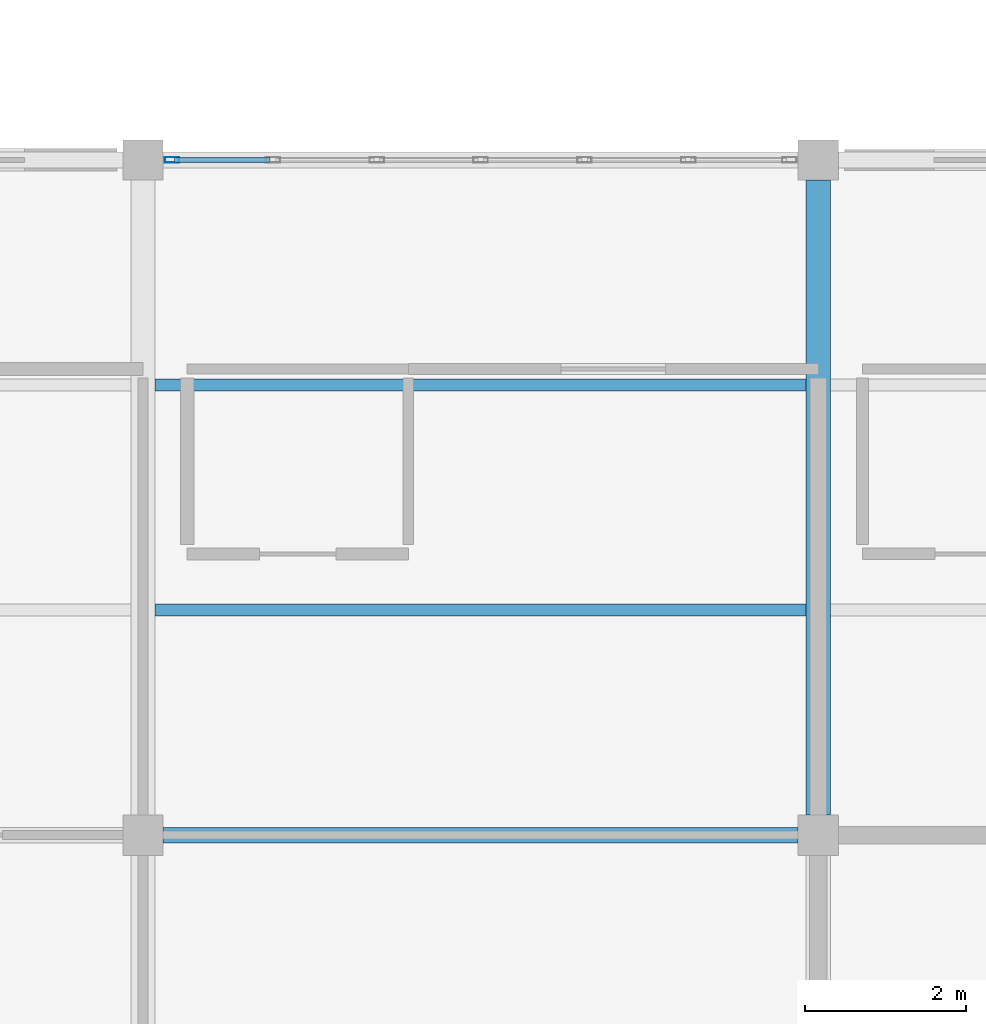
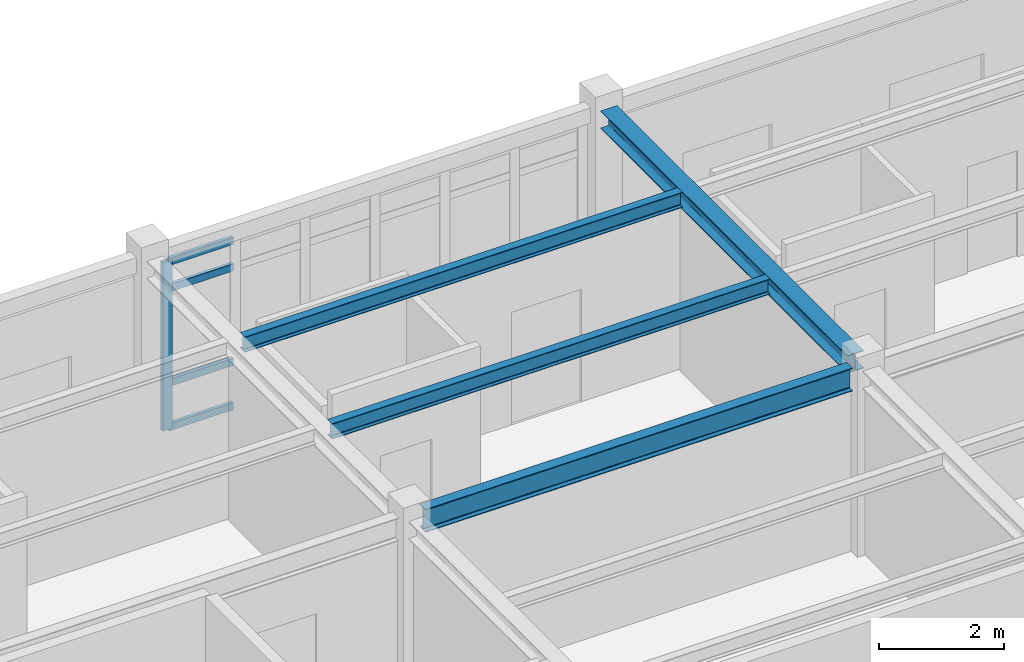
# One storey, part 34 of 86: 5 members, 4 beams, 1 element without a shape of its own.
"""IFC4 building model written with IfcOpenShell, lengths in metres."""

from ifc_helpers import new_model, si_unit, direction, frame, origin, origin_2d, place, context, subcontext, project, spatial, hollow_rectangle, i_section, extrude, material, layer, layer_set, material_profile, profile_set, type_object, element, aggregate, save


model = new_model("IFC4")

# Units and contexts
model_context = context("Model", 3, precision=1e-05, world=origin(), true_north=direction((0.0, 1.0)))
body_context = subcontext(model_context, "Body", "Model", "MODEL_VIEW")
ifc_project = project(units=[si_unit("LENGTHUNIT", "METRE"), si_unit("AREAUNIT", "SQUARE_METRE"), si_unit("VOLUMEUNIT", "CUBIC_METRE"), si_unit("PLANEANGLEUNIT", "RADIAN"), si_unit("MASSUNIT", "GRAM", prefix="KILO")], contexts=[model_context])

# Site, building, storey
site_placement = place(None, origin())
site = spatial("IfcSite", under=ifc_project, at=site_placement, CompositionType="ELEMENT")
building_placement = place(site_placement, origin())
building = spatial("IfcBuilding", under=site, at=building_placement, Name="Bramfleet General Hospital", CompositionType="ELEMENT")
storey_placement = place(building_placement, frame((0.0, 0.0, 18.60009765625)))
storey = spatial("IfcBuildingStorey", under=building, at=storey_placement, Name="L04", CompositionType="ELEMENT", Elevation=18.60009765625)

# Beams
ifc_material_1 = material(Name="Steel S355", Category="steel")
ifc_material_profile_1 = material_profile(ifc_material_1, i_section(OverallWidth=0.300048828125, OverallDepth=0.35009765625, WebThickness=0.010009765625, FlangeThickness=0.017578125, FilletRadius=0.027099609375, at=origin_2d()), Name="HEA 360")
ifc_profile_set_1 = profile_set([ifc_material_profile_1], Name="Steel S355")
beam_type_1 = type_object("IfcBeamType", Name="BM-HEA360", PredefinedType="BEAM", material=ifc_profile_set_1)
beam_1_placement = place(storey_placement, frame((159.60009765625, 17.050048828125, 3.434814453125), z_axis=(0.0, 1.0, 0.0), x_axis=(-1.0, 0.0, 0.0)))
element("IfcBeam", 1, at=beam_1_placement, inside=storey, type_object=beam_type_1, Name="L04 Grid Beam Y 19-02", PredefinedType="BEAM", context=body_context, shape_type="SweptSolid", body=[
    extrude(i_section(OverallWidth=0.300048828125, OverallDepth=0.35009765625, WebThickness=0.010009765625, FlangeThickness=0.017578125, FilletRadius=0.027099609375, at=origin_2d()), origin(), (0.0, 0.0, 1.0), 7.89990234375),
])
ifc_material_profile_2 = material_profile(ifc_material_1, i_section(OverallWidth=0.14990234375, OverallDepth=0.300048828125, WebThickness=0.007080078125, FlangeThickness=0.0107421875, FilletRadius=0.014892578125, at=origin_2d()), Name="IPE 300")
ifc_profile_set_2 = profile_set([ifc_material_profile_2], Name="Steel S355")
beam_type_2 = type_object("IfcBeamType", Name="BM-IPE300", PredefinedType="JOIST", material=ifc_profile_set_2)
for number, where, z_axis, x_axis, name in (
    (2, (151.35009765625, 19.60009765625, 3.4599609375), (1.0, 0.0, 0.0), (0.0, 1.0, 0.0), "L04 Secondary Joist 18-02-1"),
    (3, (151.35009765625, 22.39990234375, 3.4599609375), (1.0, 0.0, 0.0), (0.0, 1.0, 0.0), "L04 Secondary Joist 18-02-2"),
):
    element("IfcBeam", number, at=place(storey_placement, frame(where, z_axis=z_axis, x_axis=x_axis)), inside=storey, type_object=beam_type_2, Name=name, PredefinedType="JOIST", context=body_context, shape_type="SweptSolid", body=[
        extrude(i_section(OverallWidth=0.14990234375, OverallDepth=0.300048828125, WebThickness=0.007080078125, FlangeThickness=0.0107421875, FilletRadius=0.014892578125, at=origin_2d()), origin(), (0.0, 0.0, 1.0), 8.099853515625),
    ])
ifc_material_profile_3 = material_profile(ifc_material_1, i_section(OverallWidth=0.18994140625, OverallDepth=0.449951171875, WebThickness=0.009521484375, FlangeThickness=0.0146484375, FilletRadius=0.02099609375, at=origin_2d()), Name="IPE 450")
ifc_profile_set_3 = profile_set([ifc_material_profile_3], Name="Steel S355")
beam_type_3 = type_object("IfcBeamType", Name="BM-IPE450", PredefinedType="BEAM", material=ifc_profile_set_3)
beam_2_placement = place(storey_placement, frame((151.449951171875, 16.800048828125, 3.385009765625), z_axis=(1.0, 0.0, 0.0), x_axis=(0.0, 1.0, 0.0)))
element("IfcBeam", 4, at=beam_2_placement, inside=storey, type_object=beam_type_3, Name="L04 Grid Beam X 18-02", PredefinedType="BEAM", context=body_context, shape_type="SweptSolid", body=[
    extrude(i_section(OverallWidth=0.18994140625, OverallDepth=0.449951171875, WebThickness=0.009521484375, FlangeThickness=0.0146484375, FilletRadius=0.02099609375, at=origin_2d()), origin(), (0.0, 0.0, 1.0), 7.900146484375),
])

# Curtain wall, members
ifc_material_2 = material(Name="Anodised aluminium and low-E triple glazing", Category="aluminium")
ifc_layer = layer(ifc_material_2, 0.179931640625, Name="CWT-CW-14")
ifc_layer_set = layer_set([ifc_layer], Name="Anodised aluminium and low-E triple glazing")
curtain_wall_type = type_object("IfcCurtainWallType", Name="CWT-CW-14", PredefinedType="USERDEFINED", material=ifc_layer_set)
curtain_wall_placement = place(storey_placement, origin())
curtain_wall = element("IfcCurtainWall", 5, at=curtain_wall_placement, inside=storey, type_object=curtain_wall_type, Name="L04 Curtain Wall 194", ObjectType="Stick curtain wall", PredefinedType="USERDEFINED")
ifc_material_3 = material(Name="Anodised aluminium EN AW-6060", Category="aluminium")
ifc_material_profile_4 = material_profile(ifc_material_3, hollow_rectangle(XDim=0.070068359375, YDim=0.179931640625, WallThickness=0.00390625, at=origin_2d()), Name="ALU 180x70x4.0")
ifc_profile_set_4 = profile_set([ifc_material_profile_4], Name="Anodised aluminium EN AW-6060")
member_type_1 = type_object("IfcMemberType", Name="CWM-ALU180", PredefinedType="MULLION", material=ifc_profile_set_4)
member_1_placement = place(storey_placement, frame((151.56005859375, 25.199951171875, 0.0), z_axis=(0.0, 0.0, 1.0), x_axis=(0.0, 1.0, 0.0)))
member_1 = element("IfcMember", 6, at=member_1_placement, type_object=member_type_1, Name="CW-14 mullion 1", PredefinedType="MULLION", context=body_context, shape_type="SweptSolid", body=[
    extrude(hollow_rectangle(XDim=0.070068359375, YDim=0.179931640625, WallThickness=0.00390625, at=origin_2d()), origin(), (0.0, 0.0, 1.0), 3.2998046875),
])
ifc_material_profile_5 = material_profile(ifc_material_3, hollow_rectangle(XDim=0.06494140625, YDim=0.139892578125, WallThickness=0.00390625, at=origin_2d()), Name="ALU 140x65x4.0")
ifc_profile_set_5 = profile_set([ifc_material_profile_5], Name="Anodised aluminium EN AW-6060")
member_type_2 = type_object("IfcMemberType", Name="CWT-ALU140", PredefinedType="USERDEFINED", material=ifc_profile_set_5)
member_2_placement = place(storey_placement, frame((151.594970703125, 25.199951171875, 0.032470703125), z_axis=(1.0, 0.0, 0.0), x_axis=(0.0, 1.0, 0.0)))
member_2 = element("IfcMember", 7, at=member_2_placement, type_object=member_type_2, Name="CW-14 transom 1.1", ObjectType="TRANSOM", PredefinedType="USERDEFINED", context=body_context, shape_type="SweptSolid", body=[
    extrude(hollow_rectangle(XDim=0.06494140625, YDim=0.139892578125, WallThickness=0.00390625, at=origin_2d()), origin(), (0.0, 0.0, 1.0), 1.186767578125),
])
member_3_placement = place(storey_placement, frame((151.594970703125, 25.199951171875, 0.89990234375), z_axis=(1.0, 0.0, 0.0), x_axis=(0.0, 1.0, 0.0)))
member_3 = element("IfcMember", 8, at=member_3_placement, type_object=member_type_2, Name="CW-14 transom 1.2", ObjectType="TRANSOM", PredefinedType="USERDEFINED", context=body_context, shape_type="SweptSolid", body=[
    extrude(hollow_rectangle(XDim=0.06494140625, YDim=0.139892578125, WallThickness=0.00390625, at=origin_2d()), origin(), (0.0, 0.0, 1.0), 1.186767578125),
])
member_4_placement = place(storey_placement, frame((151.594970703125, 25.199951171875, 2.75), z_axis=(1.0, 0.0, 0.0), x_axis=(0.0, 1.0, 0.0)))
member_4 = element("IfcMember", 9, at=member_4_placement, type_object=member_type_2, Name="CW-14 transom 1.3", ObjectType="TRANSOM", PredefinedType="USERDEFINED", context=body_context, shape_type="SweptSolid", body=[
    extrude(hollow_rectangle(XDim=0.06494140625, YDim=0.139892578125, WallThickness=0.00390625, at=origin_2d()), origin(), (0.0, 0.0, 1.0), 1.186767578125),
])
member_5_placement = place(storey_placement, frame((151.594970703125, 25.199951171875, 3.267333984375), z_axis=(1.0, 0.0, 0.0), x_axis=(0.0, 1.0, 0.0)))
member_5 = element("IfcMember", 10, at=member_5_placement, type_object=member_type_2, Name="CW-14 transom 1.4", ObjectType="TRANSOM", PredefinedType="USERDEFINED", context=body_context, shape_type="SweptSolid", body=[
    extrude(hollow_rectangle(XDim=0.06494140625, YDim=0.139892578125, WallThickness=0.00390625, at=origin_2d()), origin(), (0.0, 0.0, 1.0), 1.186767578125),
])
aggregate(curtain_wall, [member_1, member_2, member_3, member_4, member_5])

save(model, "model.ifc")
